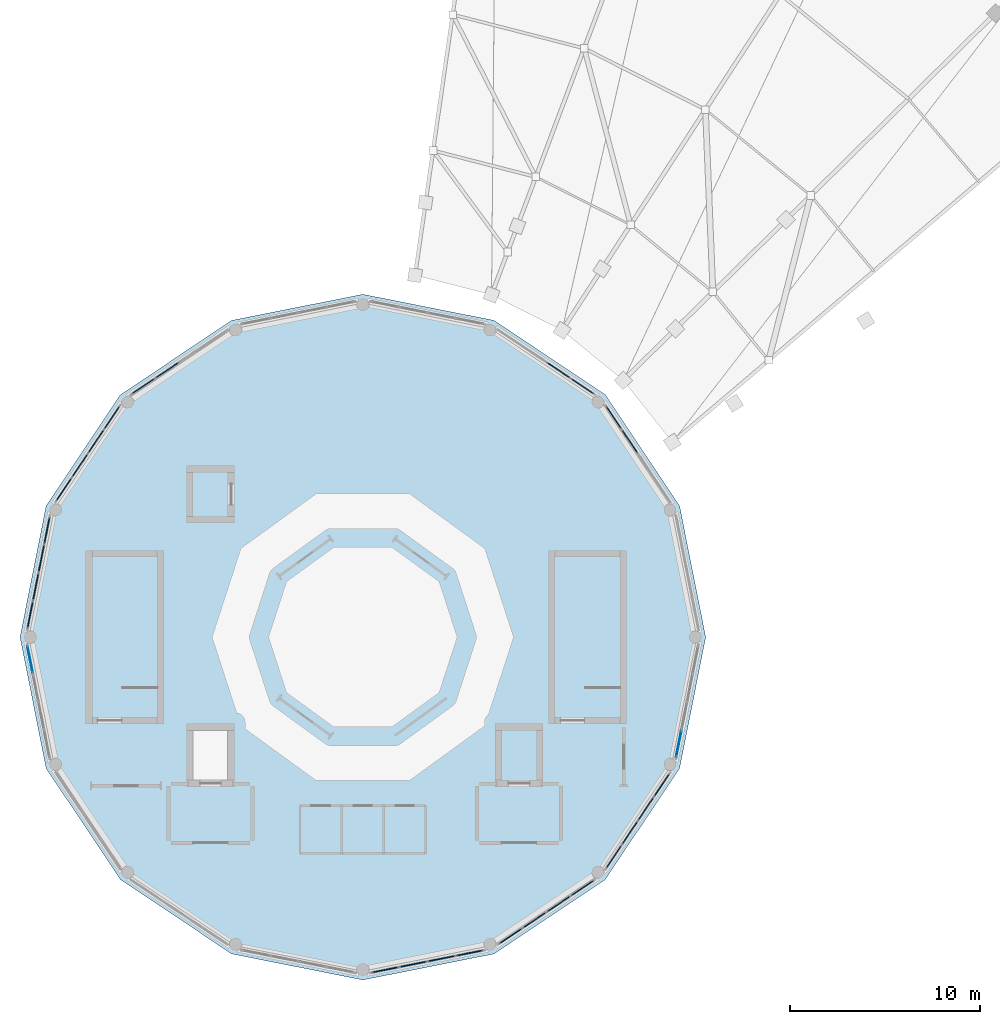
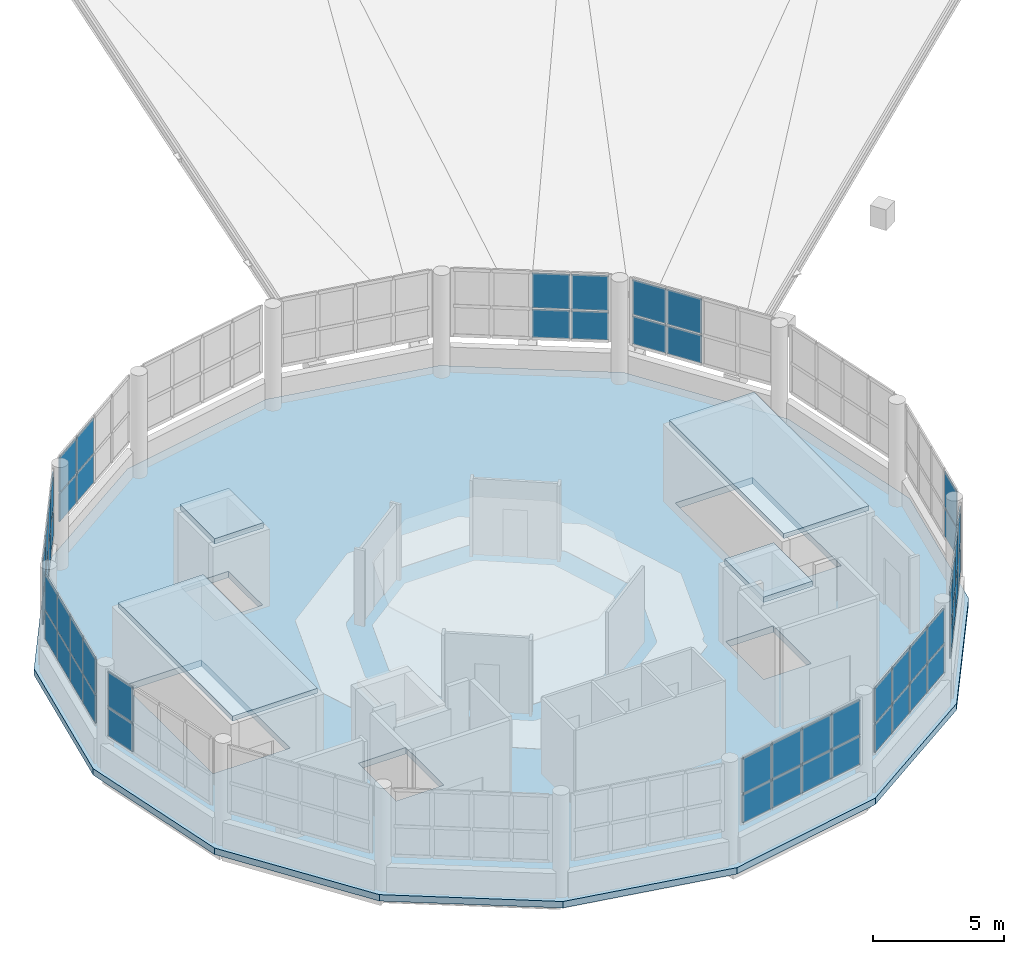
# One storey, part 8 of 12: 56 plates, 5 slabs, 10 elements without a shape of their own.
"""IFC4 building model written with IfcOpenShell, lengths in metres."""

from ifc_helpers import new_model, si_unit, direction, frame, origin, origin_2d, place, context, subcontext, project, spatial, polyline, rectangle, outline, extrude, material, layer, layer_set, type_object, element, aggregate, save


model = new_model("IFC4")

# Units and contexts
model_context = context("Model", 3, precision=1e-05, world=origin(), true_north=direction((0.0, 1.0)))
body_context = subcontext(model_context, "Body", "Model", "MODEL_VIEW")
ifc_project = project(units=[si_unit("LENGTHUNIT", "METRE"), si_unit("AREAUNIT", "SQUARE_METRE"), si_unit("VOLUMEUNIT", "CUBIC_METRE"), si_unit("PLANEANGLEUNIT", "RADIAN"), si_unit("MASSUNIT", "GRAM", prefix="KILO")], contexts=[model_context])

# Site, building, storey
site_placement = place(None, origin())
site = spatial("IfcSite", under=ifc_project, at=site_placement, CompositionType="ELEMENT")
building_placement = place(site_placement, origin())
building = spatial("IfcBuilding", under=site, at=building_placement, Name="Soyqirgoq Riverine Aquarium", CompositionType="ELEMENT")
storey_placement = place(building_placement, frame((0.0, 0.0, 24.60009765625)))
storey = spatial("IfcBuildingStorey", under=building, at=storey_placement, Name="L06", CompositionType="ELEMENT", Elevation=24.60009765625)

# Curtain wall, plates
ifc_material_1 = material(Name="Anodised aluminium acoustic solar-control clerestory glazing", Category="aluminium")
curtain_wall_type = type_object("IfcCurtainWallType", Name="CW_Clerestory_Ring", PredefinedType="NOTDEFINED", material=ifc_material_1)
curtain_wall_1_placement = place(storey_placement, origin())
curtain_wall_1 = element("IfcCurtainWall", 1, at=curtain_wall_1_placement, inside=storey, type_object=curtain_wall_type, Name="V1 L06 Curtain Wall 008", PredefinedType="NOTDEFINED")
ifc_material_2 = material(Name="Triple insulated laminated low-E glass", Category="glass")
ifc_layer_1 = layer(ifc_material_2, 0.0458984375)
ifc_layer_set_1 = layer_set([ifc_layer_1], Name="Triple insulated laminated low-E glass")
plate_type_1 = type_object("IfcPlateType", Name="CWGlazedPanel_46", PredefinedType="CURTAIN_PANEL", material=ifc_layer_set_1)
plate_1_placement = place(storey_placement, frame((70.012939453125, 67.275146484375, 1.69482421875), z_axis=(0.0, 0.0, 1.0), x_axis=(-0.555578639957, 0.831463994905, 0.0)))
plate_1 = element("IfcPlate", 2, at=plate_1_placement, type_object=plate_type_1, Name="CW-02 panel 3.1", PredefinedType="CURTAIN_PANEL", context=body_context, shape_type="SweptSolid", body=[
    extrude(rectangle(XDim=1.45166015625, YDim=0.0458984375, at=origin_2d()), origin(), (0.0, 0.0, 1.0), 1.300537109375),
])
plate_2_placement = place(storey_placement, frame((70.012939453125, 67.275146484375, 3.0703125), z_axis=(0.0, 0.0, 1.0), x_axis=(-0.555578639957, 0.831463994905, 0.0)))
plate_2 = element("IfcPlate", 3, at=plate_2_placement, type_object=plate_type_1, Name="CW-02 panel 3.2", PredefinedType="CURTAIN_PANEL", context=body_context, shape_type="SweptSolid", body=[
    extrude(rectangle(XDim=1.45166015625, YDim=0.0458984375, at=origin_2d()), origin(), (0.0, 0.0, 1.0), 1.614501953125),
])
plate_3_placement = place(storey_placement, frame((69.179443359375, 68.522705078125, 1.69482421875), z_axis=(0.0, 0.0, 1.0), x_axis=(-0.555578639957, 0.831463994905, 0.0)))
plate_3 = element("IfcPlate", 4, at=plate_3_placement, type_object=plate_type_1, Name="CW-02 panel 4.1", PredefinedType="CURTAIN_PANEL", context=body_context, shape_type="SweptSolid", body=[
    extrude(rectangle(XDim=1.419189453125, YDim=0.0458984375, at=origin_2d()), origin(), (0.0, 0.0, 1.0), 1.300537109375),
])
plate_4_placement = place(storey_placement, frame((69.179443359375, 68.522705078125, 3.0703125), z_axis=(0.0, 0.0, 1.0), x_axis=(-0.555578639957, 0.831463994905, 0.0)))
plate_4 = element("IfcPlate", 5, at=plate_4_placement, type_object=plate_type_1, Name="CW-02 panel 4.2", PredefinedType="CURTAIN_PANEL", context=body_context, shape_type="SweptSolid", body=[
    extrude(rectangle(XDim=1.419189453125, YDim=0.0458984375, at=origin_2d()), origin(), (0.0, 0.0, 1.0), 1.614501953125),
])
aggregate(curtain_wall_1, [plate_1, plate_2, plate_3, plate_4])

curtain_wall_2_placement = place(storey_placement, origin())
curtain_wall_2 = element("IfcCurtainWall", 6, at=curtain_wall_2_placement, inside=storey, type_object=curtain_wall_type, Name="V1 L06 Curtain Wall 010", PredefinedType="NOTDEFINED")
plate_5_placement = place(storey_placement, frame((67.522705078125, 70.179443359375, 1.69482421875), z_axis=(0.0, 0.0, 1.0), x_axis=(-0.831463994905, 0.555578639957, 0.0)))
plate_5 = element("IfcPlate", 7, at=plate_5_placement, type_object=plate_type_1, Name="CW-02 panel 1.1", PredefinedType="CURTAIN_PANEL", context=body_context, shape_type="SweptSolid", body=[
    extrude(rectangle(XDim=1.419189453125, YDim=0.0458984375, at=origin_2d()), origin(), (0.0, 0.0, 1.0), 1.300537109375),
])
plate_6_placement = place(storey_placement, frame((67.522705078125, 70.179443359375, 3.0703125), z_axis=(0.0, 0.0, 1.0), x_axis=(-0.831463994905, 0.555578639957, 0.0)))
plate_6 = element("IfcPlate", 8, at=plate_6_placement, type_object=plate_type_1, Name="CW-02 panel 1.2", PredefinedType="CURTAIN_PANEL", context=body_context, shape_type="SweptSolid", body=[
    extrude(rectangle(XDim=1.419189453125, YDim=0.0458984375, at=origin_2d()), origin(), (0.0, 0.0, 1.0), 1.614501953125),
])
plate_7_placement = place(storey_placement, frame((66.275146484375, 71.012939453125, 1.69482421875), z_axis=(0.0, 0.0, 1.0), x_axis=(-0.831463994905, 0.555578639957, 0.0)))
plate_7 = element("IfcPlate", 9, at=plate_7_placement, type_object=plate_type_1, Name="CW-02 panel 2.1", PredefinedType="CURTAIN_PANEL", context=body_context, shape_type="SweptSolid", body=[
    extrude(rectangle(XDim=1.45166015625, YDim=0.0458984375, at=origin_2d()), origin(), (0.0, 0.0, 1.0), 1.300537109375),
])
plate_8_placement = place(storey_placement, frame((66.275146484375, 71.012939453125, 3.0703125), z_axis=(0.0, 0.0, 1.0), x_axis=(-0.831463994905, 0.555578639957, 0.0)))
plate_8 = element("IfcPlate", 10, at=plate_8_placement, type_object=plate_type_1, Name="CW-02 panel 2.2", PredefinedType="CURTAIN_PANEL", context=body_context, shape_type="SweptSolid", body=[
    extrude(rectangle(XDim=1.45166015625, YDim=0.0458984375, at=origin_2d()), origin(), (0.0, 0.0, 1.0), 1.614501953125),
])
aggregate(curtain_wall_2, [plate_5, plate_6, plate_7, plate_8])

curtain_wall_3_placement = place(storey_placement, origin())
curtain_wall_3 = element("IfcCurtainWall", 11, at=curtain_wall_3_placement, inside=storey, type_object=curtain_wall_type, Name="V1 L06 Curtain Wall 021", PredefinedType="NOTDEFINED")
plate_9_placement = place(storey_placement, frame((45.724853515625, 71.012939453125, 1.69482421875), z_axis=(0.0, 0.0, 1.0), x_axis=(-0.831463994905, -0.555578639957, 0.0)))
plate_9 = element("IfcPlate", 12, at=plate_9_placement, type_object=plate_type_1, Name="CW-02 panel 3.1", PredefinedType="CURTAIN_PANEL", context=body_context, shape_type="SweptSolid", body=[
    extrude(rectangle(XDim=1.45166015625, YDim=0.0458984375, at=origin_2d()), origin(), (0.0, 0.0, 1.0), 1.300537109375),
])
plate_10_placement = place(storey_placement, frame((45.724853515625, 71.012939453125, 3.0703125), z_axis=(0.0, 0.0, 1.0), x_axis=(-0.831463994905, -0.555578639957, 0.0)))
plate_10 = element("IfcPlate", 13, at=plate_10_placement, type_object=plate_type_1, Name="CW-02 panel 3.2", PredefinedType="CURTAIN_PANEL", context=body_context, shape_type="SweptSolid", body=[
    extrude(rectangle(XDim=1.45166015625, YDim=0.0458984375, at=origin_2d()), origin(), (0.0, 0.0, 1.0), 1.614501953125),
])
plate_11_placement = place(storey_placement, frame((44.477294921875, 70.179443359375, 1.69482421875), z_axis=(0.0, 0.0, 1.0), x_axis=(-0.831463994905, -0.555578639957, 0.0)))
plate_11 = element("IfcPlate", 14, at=plate_11_placement, type_object=plate_type_1, Name="CW-02 panel 4.1", PredefinedType="CURTAIN_PANEL", context=body_context, shape_type="SweptSolid", body=[
    extrude(rectangle(XDim=1.419189453125, YDim=0.0458984375, at=origin_2d()), origin(), (0.0, 0.0, 1.0), 1.300537109375),
])
plate_12_placement = place(storey_placement, frame((44.477294921875, 70.179443359375, 3.0703125), z_axis=(0.0, 0.0, 1.0), x_axis=(-0.831463994905, -0.555578639957, 0.0)))
plate_12 = element("IfcPlate", 15, at=plate_12_placement, type_object=plate_type_1, Name="CW-02 panel 4.2", PredefinedType="CURTAIN_PANEL", context=body_context, shape_type="SweptSolid", body=[
    extrude(rectangle(XDim=1.419189453125, YDim=0.0458984375, at=origin_2d()), origin(), (0.0, 0.0, 1.0), 1.614501953125),
])
aggregate(curtain_wall_3, [plate_9, plate_10, plate_11, plate_12])

curtain_wall_4_placement = place(storey_placement, origin())
curtain_wall_4 = element("IfcCurtainWall", 16, at=curtain_wall_4_placement, inside=storey, type_object=curtain_wall_type, Name="V1 L06 Curtain Wall 028", PredefinedType="NOTDEFINED")
plate_13_placement = place(storey_placement, frame((42.820556640625, 68.522705078125, 1.69482421875), z_axis=(0.0, 0.0, 1.0), x_axis=(-0.555578639957, -0.831463994905, 0.0)))
plate_13 = element("IfcPlate", 17, at=plate_13_placement, type_object=plate_type_1, Name="CW-02 panel 1.1", PredefinedType="CURTAIN_PANEL", context=body_context, shape_type="SweptSolid", body=[
    extrude(rectangle(XDim=1.419189453125, YDim=0.0458984375, at=origin_2d()), origin(), (0.0, 0.0, 1.0), 1.300537109375),
])
plate_14_placement = place(storey_placement, frame((42.820556640625, 68.522705078125, 3.0703125), z_axis=(0.0, 0.0, 1.0), x_axis=(-0.555578639957, -0.831463994905, 0.0)))
plate_14 = element("IfcPlate", 18, at=plate_14_placement, type_object=plate_type_1, Name="CW-02 panel 1.2", PredefinedType="CURTAIN_PANEL", context=body_context, shape_type="SweptSolid", body=[
    extrude(rectangle(XDim=1.419189453125, YDim=0.0458984375, at=origin_2d()), origin(), (0.0, 0.0, 1.0), 1.614501953125),
])
plate_15_placement = place(storey_placement, frame((41.987060546875, 67.275146484375, 1.69482421875), z_axis=(0.0, 0.0, 1.0), x_axis=(-0.555578639957, -0.831463994905, 0.0)))
plate_15 = element("IfcPlate", 19, at=plate_15_placement, type_object=plate_type_1, Name="CW-02 panel 2.1", PredefinedType="CURTAIN_PANEL", context=body_context, shape_type="SweptSolid", body=[
    extrude(rectangle(XDim=1.45166015625, YDim=0.0458984375, at=origin_2d()), origin(), (0.0, 0.0, 1.0), 1.300537109375),
])
plate_16_placement = place(storey_placement, frame((41.987060546875, 67.275146484375, 3.0703125), z_axis=(0.0, 0.0, 1.0), x_axis=(-0.555578639957, -0.831463994905, 0.0)))
plate_16 = element("IfcPlate", 20, at=plate_16_placement, type_object=plate_type_1, Name="CW-02 panel 2.2", PredefinedType="CURTAIN_PANEL", context=body_context, shape_type="SweptSolid", body=[
    extrude(rectangle(XDim=1.45166015625, YDim=0.0458984375, at=origin_2d()), origin(), (0.0, 0.0, 1.0), 1.614501953125),
])
plate_17_placement = place(storey_placement, frame((41.14453125, 66.01416015625, 1.69482421875), z_axis=(0.0, 0.0, 1.0), x_axis=(-0.555578639957, -0.831463994905, 0.0)))
plate_17 = element("IfcPlate", 21, at=plate_17_placement, type_object=plate_type_1, Name="CW-02 panel 3.1", PredefinedType="CURTAIN_PANEL", context=body_context, shape_type="SweptSolid", body=[
    extrude(rectangle(XDim=1.45166015625, YDim=0.0458984375, at=origin_2d()), origin(), (0.0, 0.0, 1.0), 1.300537109375),
])
plate_18_placement = place(storey_placement, frame((41.14453125, 66.01416015625, 3.0703125), z_axis=(0.0, 0.0, 1.0), x_axis=(-0.555578639957, -0.831463994905, 0.0)))
plate_18 = element("IfcPlate", 22, at=plate_18_placement, type_object=plate_type_1, Name="CW-02 panel 3.2", PredefinedType="CURTAIN_PANEL", context=body_context, shape_type="SweptSolid", body=[
    extrude(rectangle(XDim=1.45166015625, YDim=0.0458984375, at=origin_2d()), origin(), (0.0, 0.0, 1.0), 1.614501953125),
])
plate_19_placement = place(storey_placement, frame((40.31103515625, 64.7666015625, 1.69482421875), z_axis=(0.0, 0.0, 1.0), x_axis=(-0.555578639957, -0.831463994905, 0.0)))
plate_19 = element("IfcPlate", 23, at=plate_19_placement, type_object=plate_type_1, Name="CW-02 panel 4.1", PredefinedType="CURTAIN_PANEL", context=body_context, shape_type="SweptSolid", body=[
    extrude(rectangle(XDim=1.419189453125, YDim=0.0458984375, at=origin_2d()), origin(), (0.0, 0.0, 1.0), 1.300537109375),
])
plate_20_placement = place(storey_placement, frame((40.31103515625, 64.7666015625, 3.0703125), z_axis=(0.0, 0.0, 1.0), x_axis=(-0.555578639957, -0.831463994905, 0.0)))
plate_20 = element("IfcPlate", 24, at=plate_20_placement, type_object=plate_type_1, Name="CW-02 panel 4.2", PredefinedType="CURTAIN_PANEL", context=body_context, shape_type="SweptSolid", body=[
    extrude(rectangle(XDim=1.419189453125, YDim=0.0458984375, at=origin_2d()), origin(), (0.0, 0.0, 1.0), 1.614501953125),
])
aggregate(curtain_wall_4, [plate_13, plate_14, plate_15, plate_16, plate_17, plate_18, plate_19, plate_20])

curtain_wall_5_placement = place(storey_placement, origin())
curtain_wall_5 = element("IfcCurtainWall", 25, at=curtain_wall_5_placement, inside=storey, type_object=curtain_wall_type, Name="V1 L06 Curtain Wall 032", PredefinedType="NOTDEFINED")
plate_21_placement = place(storey_placement, frame((38.532958984375, 55.828369140625, 1.69482421875), z_axis=(0.0, 0.0, 1.0), x_axis=(0.19509525167, -0.980784299821, 0.0)))
plate_21 = element("IfcPlate", 26, at=plate_21_placement, type_object=plate_type_1, Name="CW-02 panel 1.1", PredefinedType="CURTAIN_PANEL", context=body_context, shape_type="SweptSolid", body=[
    extrude(rectangle(XDim=1.4189453125, YDim=0.0458984375, at=origin_2d()), origin(), (0.0, 0.0, 1.0), 1.300537109375),
])
plate_22_placement = place(storey_placement, frame((38.532958984375, 55.828369140625, 3.0703125), z_axis=(0.0, 0.0, 1.0), x_axis=(0.19509525167, -0.980784299821, 0.0)))
plate_22 = element("IfcPlate", 27, at=plate_22_placement, type_object=plate_type_1, Name="CW-02 panel 1.2", PredefinedType="CURTAIN_PANEL", context=body_context, shape_type="SweptSolid", body=[
    extrude(rectangle(XDim=1.4189453125, YDim=0.0458984375, at=origin_2d()), origin(), (0.0, 0.0, 1.0), 1.614501953125),
])
aggregate(curtain_wall_5, [plate_21, plate_22])

curtain_wall_6_placement = place(storey_placement, origin())
curtain_wall_6 = element("IfcCurtainWall", 28, at=curtain_wall_6_placement, inside=storey, type_object=curtain_wall_type, Name="V1 L06 Curtain Wall 065", PredefinedType="NOTDEFINED")
plate_23_placement = place(storey_placement, frame((63.7666015625, 41.31103515625, 1.69482421875), z_axis=(0.0, 0.0, 1.0), x_axis=(0.831463994905, 0.555578639957, 0.0)))
plate_23 = element("IfcPlate", 29, at=plate_23_placement, type_object=plate_type_1, Name="CW-02 panel 1.1", PredefinedType="CURTAIN_PANEL", context=body_context, shape_type="SweptSolid", body=[
    extrude(rectangle(XDim=1.419189453125, YDim=0.0458984375, at=origin_2d()), origin(), (0.0, 0.0, 1.0), 1.300537109375),
])
plate_24_placement = place(storey_placement, frame((63.7666015625, 41.31103515625, 3.0703125), z_axis=(0.0, 0.0, 1.0), x_axis=(0.831463994905, 0.555578639957, 0.0)))
plate_24 = element("IfcPlate", 30, at=plate_24_placement, type_object=plate_type_1, Name="CW-02 panel 1.2", PredefinedType="CURTAIN_PANEL", context=body_context, shape_type="SweptSolid", body=[
    extrude(rectangle(XDim=1.419189453125, YDim=0.0458984375, at=origin_2d()), origin(), (0.0, 0.0, 1.0), 1.614501953125),
])
plate_25_placement = place(storey_placement, frame((65.01416015625, 42.14453125, 1.69482421875), z_axis=(0.0, 0.0, 1.0), x_axis=(0.831463994905, 0.555578639957, 0.0)))
plate_25 = element("IfcPlate", 31, at=plate_25_placement, type_object=plate_type_1, Name="CW-02 panel 2.1", PredefinedType="CURTAIN_PANEL", context=body_context, shape_type="SweptSolid", body=[
    extrude(rectangle(XDim=1.45166015625, YDim=0.0458984375, at=origin_2d()), origin(), (0.0, 0.0, 1.0), 1.300537109375),
])
plate_26_placement = place(storey_placement, frame((65.01416015625, 42.14453125, 3.0703125), z_axis=(0.0, 0.0, 1.0), x_axis=(0.831463994905, 0.555578639957, 0.0)))
plate_26 = element("IfcPlate", 32, at=plate_26_placement, type_object=plate_type_1, Name="CW-02 panel 2.2", PredefinedType="CURTAIN_PANEL", context=body_context, shape_type="SweptSolid", body=[
    extrude(rectangle(XDim=1.45166015625, YDim=0.0458984375, at=origin_2d()), origin(), (0.0, 0.0, 1.0), 1.614501953125),
])
plate_27_placement = place(storey_placement, frame((66.275146484375, 42.987060546875, 1.69482421875), z_axis=(0.0, 0.0, 1.0), x_axis=(0.831463994905, 0.555578639957, 0.0)))
plate_27 = element("IfcPlate", 33, at=plate_27_placement, type_object=plate_type_1, Name="CW-02 panel 3.1", PredefinedType="CURTAIN_PANEL", context=body_context, shape_type="SweptSolid", body=[
    extrude(rectangle(XDim=1.45166015625, YDim=0.0458984375, at=origin_2d()), origin(), (0.0, 0.0, 1.0), 1.300537109375),
])
plate_28_placement = place(storey_placement, frame((66.275146484375, 42.987060546875, 3.0703125), z_axis=(0.0, 0.0, 1.0), x_axis=(0.831463994905, 0.555578639957, 0.0)))
plate_28 = element("IfcPlate", 34, at=plate_28_placement, type_object=plate_type_1, Name="CW-02 panel 3.2", PredefinedType="CURTAIN_PANEL", context=body_context, shape_type="SweptSolid", body=[
    extrude(rectangle(XDim=1.45166015625, YDim=0.0458984375, at=origin_2d()), origin(), (0.0, 0.0, 1.0), 1.614501953125),
])
plate_29_placement = place(storey_placement, frame((67.522705078125, 43.820556640625, 1.69482421875), z_axis=(0.0, 0.0, 1.0), x_axis=(0.831463994905, 0.555578639957, 0.0)))
plate_29 = element("IfcPlate", 35, at=plate_29_placement, type_object=plate_type_1, Name="CW-02 panel 4.1", PredefinedType="CURTAIN_PANEL", context=body_context, shape_type="SweptSolid", body=[
    extrude(rectangle(XDim=1.419189453125, YDim=0.0458984375, at=origin_2d()), origin(), (0.0, 0.0, 1.0), 1.300537109375),
])
plate_30_placement = place(storey_placement, frame((67.522705078125, 43.820556640625, 3.0703125), z_axis=(0.0, 0.0, 1.0), x_axis=(0.831463994905, 0.555578639957, 0.0)))
plate_30 = element("IfcPlate", 36, at=plate_30_placement, type_object=plate_type_1, Name="CW-02 panel 4.2", PredefinedType="CURTAIN_PANEL", context=body_context, shape_type="SweptSolid", body=[
    extrude(rectangle(XDim=1.419189453125, YDim=0.0458984375, at=origin_2d()), origin(), (0.0, 0.0, 1.0), 1.614501953125),
])
aggregate(curtain_wall_6, [plate_23, plate_24, plate_25, plate_26, plate_27, plate_28, plate_29, plate_30])

curtain_wall_7_placement = place(storey_placement, origin())
curtain_wall_7 = element("IfcCurtainWall", 37, at=curtain_wall_7_placement, inside=storey, type_object=curtain_wall_type, Name="V1 L06 Curtain Wall 070", PredefinedType="NOTDEFINED")
plate_31_placement = place(storey_placement, frame((69.179443359375, 45.477294921875, 1.69482421875), z_axis=(0.0, 0.0, 1.0), x_axis=(0.555578639957, 0.831463994905, 0.0)))
plate_31 = element("IfcPlate", 38, at=plate_31_placement, type_object=plate_type_1, Name="CW-02 panel 1.1", PredefinedType="CURTAIN_PANEL", context=body_context, shape_type="SweptSolid", body=[
    extrude(rectangle(XDim=1.419189453125, YDim=0.0458984375, at=origin_2d()), origin(), (0.0, 0.0, 1.0), 1.300537109375),
])
plate_32_placement = place(storey_placement, frame((69.179443359375, 45.477294921875, 3.0703125), z_axis=(0.0, 0.0, 1.0), x_axis=(0.555578639957, 0.831463994905, 0.0)))
plate_32 = element("IfcPlate", 39, at=plate_32_placement, type_object=plate_type_1, Name="CW-02 panel 1.2", PredefinedType="CURTAIN_PANEL", context=body_context, shape_type="SweptSolid", body=[
    extrude(rectangle(XDim=1.419189453125, YDim=0.0458984375, at=origin_2d()), origin(), (0.0, 0.0, 1.0), 1.614501953125),
])
plate_33_placement = place(storey_placement, frame((70.012939453125, 46.724853515625, 1.69482421875), z_axis=(0.0, 0.0, 1.0), x_axis=(0.555578639957, 0.831463994905, 0.0)))
plate_33 = element("IfcPlate", 40, at=plate_33_placement, type_object=plate_type_1, Name="CW-02 panel 2.1", PredefinedType="CURTAIN_PANEL", context=body_context, shape_type="SweptSolid", body=[
    extrude(rectangle(XDim=1.45166015625, YDim=0.0458984375, at=origin_2d()), origin(), (0.0, 0.0, 1.0), 1.300537109375),
])
plate_34_placement = place(storey_placement, frame((70.012939453125, 46.724853515625, 3.0703125), z_axis=(0.0, 0.0, 1.0), x_axis=(0.555578639957, 0.831463994905, 0.0)))
plate_34 = element("IfcPlate", 41, at=plate_34_placement, type_object=plate_type_1, Name="CW-02 panel 2.2", PredefinedType="CURTAIN_PANEL", context=body_context, shape_type="SweptSolid", body=[
    extrude(rectangle(XDim=1.45166015625, YDim=0.0458984375, at=origin_2d()), origin(), (0.0, 0.0, 1.0), 1.614501953125),
])
plate_35_placement = place(storey_placement, frame((70.85546875, 47.98583984375, 1.69482421875), z_axis=(0.0, 0.0, 1.0), x_axis=(0.555578639957, 0.831463994905, 0.0)))
plate_35 = element("IfcPlate", 42, at=plate_35_placement, type_object=plate_type_1, Name="CW-02 panel 3.1", PredefinedType="CURTAIN_PANEL", context=body_context, shape_type="SweptSolid", body=[
    extrude(rectangle(XDim=1.45166015625, YDim=0.0458984375, at=origin_2d()), origin(), (0.0, 0.0, 1.0), 1.300537109375),
])
plate_36_placement = place(storey_placement, frame((70.85546875, 47.98583984375, 3.0703125), z_axis=(0.0, 0.0, 1.0), x_axis=(0.555578639957, 0.831463994905, 0.0)))
plate_36 = element("IfcPlate", 43, at=plate_36_placement, type_object=plate_type_1, Name="CW-02 panel 3.2", PredefinedType="CURTAIN_PANEL", context=body_context, shape_type="SweptSolid", body=[
    extrude(rectangle(XDim=1.45166015625, YDim=0.0458984375, at=origin_2d()), origin(), (0.0, 0.0, 1.0), 1.614501953125),
])
plate_37_placement = place(storey_placement, frame((71.68896484375, 49.2333984375, 1.69482421875), z_axis=(0.0, 0.0, 1.0), x_axis=(0.555578639957, 0.831463994905, 0.0)))
plate_37 = element("IfcPlate", 44, at=plate_37_placement, type_object=plate_type_1, Name="CW-02 panel 4.1", PredefinedType="CURTAIN_PANEL", context=body_context, shape_type="SweptSolid", body=[
    extrude(rectangle(XDim=1.419189453125, YDim=0.0458984375, at=origin_2d()), origin(), (0.0, 0.0, 1.0), 1.300537109375),
])
plate_38_placement = place(storey_placement, frame((71.68896484375, 49.2333984375, 3.0703125), z_axis=(0.0, 0.0, 1.0), x_axis=(0.555578639957, 0.831463994905, 0.0)))
plate_38 = element("IfcPlate", 45, at=plate_38_placement, type_object=plate_type_1, Name="CW-02 panel 4.2", PredefinedType="CURTAIN_PANEL", context=body_context, shape_type="SweptSolid", body=[
    extrude(rectangle(XDim=1.419189453125, YDim=0.0458984375, at=origin_2d()), origin(), (0.0, 0.0, 1.0), 1.614501953125),
])
aggregate(curtain_wall_7, [plate_31, plate_32, plate_33, plate_34, plate_35, plate_36, plate_37, plate_38])

curtain_wall_8_placement = place(storey_placement, origin())
curtain_wall_8 = element("IfcCurtainWall", 46, at=curtain_wall_8_placement, inside=storey, type_object=curtain_wall_type, Name="V1 L06 Curtain Wall 077", PredefinedType="NOTDEFINED")
plate_39_placement = place(storey_placement, frame((72.585693359375, 51.39794921875, 1.69482421875), z_axis=(0.0, 0.0, 1.0), x_axis=(0.19509525167, 0.980784299821, 0.0)))
plate_39 = element("IfcPlate", 47, at=plate_39_placement, type_object=plate_type_1, Name="CW-02 panel 1.1", PredefinedType="CURTAIN_PANEL", context=body_context, shape_type="SweptSolid", body=[
    extrude(rectangle(XDim=1.4189453125, YDim=0.0458984375, at=origin_2d()), origin(), (0.0, 0.0, 1.0), 1.300537109375),
])
plate_40_placement = place(storey_placement, frame((72.585693359375, 51.39794921875, 3.0703125), z_axis=(0.0, 0.0, 1.0), x_axis=(0.19509525167, 0.980784299821, 0.0)))
plate_40 = element("IfcPlate", 48, at=plate_40_placement, type_object=plate_type_1, Name="CW-02 panel 1.2", PredefinedType="CURTAIN_PANEL", context=body_context, shape_type="SweptSolid", body=[
    extrude(rectangle(XDim=1.4189453125, YDim=0.0458984375, at=origin_2d()), origin(), (0.0, 0.0, 1.0), 1.614501953125),
])
aggregate(curtain_wall_8, [plate_39, plate_40])

curtain_wall_9_placement = place(storey_placement, origin())
curtain_wall_9 = element("IfcCurtainWall", 49, at=curtain_wall_9_placement, inside=storey, type_object=curtain_wall_type, Name="V1 L06 Curtain Wall 030", PredefinedType="NOTDEFINED")
ifc_material_3 = material(Name="Insulated shadow-box aluminium spandrel panel", Category="aluminium")
ifc_layer_2 = layer(ifc_material_3, 0.06005859375)
ifc_layer_set_2 = layer_set([ifc_layer_2], Name="Insulated shadow-box aluminium spandrel panel")
plate_type_2 = type_object("IfcPlateType", Name="CWSpandrelPanel_60", PredefinedType="CURTAIN_PANEL", material=ifc_layer_set_2)
plate_41_placement = place(storey_placement, frame((39.414306640625, 62.60205078125, 1.69482421875), z_axis=(0.0, 0.0, 1.0), x_axis=(-0.19509525167, -0.980784299821, 0.0)))
plate_41 = element("IfcPlate", 50, at=plate_41_placement, type_object=plate_type_2, Name="CW-02 panel 1.1", PredefinedType="CURTAIN_PANEL", context=body_context, shape_type="SweptSolid", body=[
    extrude(rectangle(XDim=1.4189453125, YDim=0.06005859375, at=origin_2d()), origin(), (0.0, 0.0, 1.0), 1.300537109375),
])
plate_42_placement = place(storey_placement, frame((39.414306640625, 62.60205078125, 3.0703125), z_axis=(0.0, 0.0, 1.0), x_axis=(-0.19509525167, -0.980784299821, 0.0)))
plate_42 = element("IfcPlate", 51, at=plate_42_placement, type_object=plate_type_2, Name="CW-02 panel 1.2", PredefinedType="CURTAIN_PANEL", context=body_context, shape_type="SweptSolid", body=[
    extrude(rectangle(XDim=1.4189453125, YDim=0.06005859375, at=origin_2d()), origin(), (0.0, 0.0, 1.0), 1.614501953125),
])
plate_43_placement = place(storey_placement, frame((39.12158203125, 61.13037109375, 1.69482421875), z_axis=(0.0, 0.0, 1.0), x_axis=(-0.19509525167, -0.980784299821, 0.0)))
plate_43 = element("IfcPlate", 52, at=plate_43_placement, type_object=plate_type_2, Name="CW-02 panel 2.1", PredefinedType="CURTAIN_PANEL", context=body_context, shape_type="SweptSolid", body=[
    extrude(rectangle(XDim=1.45166015625, YDim=0.06005859375, at=origin_2d()), origin(), (0.0, 0.0, 1.0), 1.300537109375),
])
plate_44_placement = place(storey_placement, frame((39.12158203125, 61.13037109375, 3.0703125), z_axis=(0.0, 0.0, 1.0), x_axis=(-0.19509525167, -0.980784299821, 0.0)))
plate_44 = element("IfcPlate", 53, at=plate_44_placement, type_object=plate_type_2, Name="CW-02 panel 2.2", PredefinedType="CURTAIN_PANEL", context=body_context, shape_type="SweptSolid", body=[
    extrude(rectangle(XDim=1.45166015625, YDim=0.06005859375, at=origin_2d()), origin(), (0.0, 0.0, 1.0), 1.614501953125),
])
plate_45_placement = place(storey_placement, frame((38.82568359375, 59.64306640625, 1.69482421875), z_axis=(0.0, 0.0, 1.0), x_axis=(-0.19509525167, -0.980784299821, 0.0)))
plate_45 = element("IfcPlate", 54, at=plate_45_placement, type_object=plate_type_2, Name="CW-02 panel 3.1", PredefinedType="CURTAIN_PANEL", context=body_context, shape_type="SweptSolid", body=[
    extrude(rectangle(XDim=1.45166015625, YDim=0.06005859375, at=origin_2d()), origin(), (0.0, 0.0, 1.0), 1.300537109375),
])
plate_46_placement = place(storey_placement, frame((38.82568359375, 59.64306640625, 3.0703125), z_axis=(0.0, 0.0, 1.0), x_axis=(-0.19509525167, -0.980784299821, 0.0)))
plate_46 = element("IfcPlate", 55, at=plate_46_placement, type_object=plate_type_2, Name="CW-02 panel 3.2", PredefinedType="CURTAIN_PANEL", context=body_context, shape_type="SweptSolid", body=[
    extrude(rectangle(XDim=1.45166015625, YDim=0.06005859375, at=origin_2d()), origin(), (0.0, 0.0, 1.0), 1.614501953125),
])
plate_47_placement = place(storey_placement, frame((38.532958984375, 58.171630859375, 1.69482421875), z_axis=(0.0, 0.0, 1.0), x_axis=(-0.19509525167, -0.980784299821, 0.0)))
plate_47 = element("IfcPlate", 56, at=plate_47_placement, type_object=plate_type_2, Name="CW-02 panel 4.1", PredefinedType="CURTAIN_PANEL", context=body_context, shape_type="SweptSolid", body=[
    extrude(rectangle(XDim=1.4189453125, YDim=0.06005859375, at=origin_2d()), origin(), (0.0, 0.0, 1.0), 1.300537109375),
])
plate_48_placement = place(storey_placement, frame((38.532958984375, 58.171630859375, 3.0703125), z_axis=(0.0, 0.0, 1.0), x_axis=(-0.19509525167, -0.980784299821, 0.0)))
plate_48 = element("IfcPlate", 57, at=plate_48_placement, type_object=plate_type_2, Name="CW-02 panel 4.2", PredefinedType="CURTAIN_PANEL", context=body_context, shape_type="SweptSolid", body=[
    extrude(rectangle(XDim=1.4189453125, YDim=0.06005859375, at=origin_2d()), origin(), (0.0, 0.0, 1.0), 1.614501953125),
])
aggregate(curtain_wall_9, [plate_41, plate_42, plate_43, plate_44, plate_45, plate_46, plate_47, plate_48])

curtain_wall_10_placement = place(storey_placement, origin())
curtain_wall_10 = element("IfcCurtainWall", 58, at=curtain_wall_10_placement, inside=storey, type_object=curtain_wall_type, Name="V1 L06 Curtain Wall 060", PredefinedType="NOTDEFINED")
plate_49_placement = place(storey_placement, frame((57.171630859375, 39.532958984375, 1.69482421875), z_axis=(0.0, 0.0, 1.0), x_axis=(0.980784299821, 0.19509525167, 0.0)))
plate_49 = element("IfcPlate", 59, at=plate_49_placement, type_object=plate_type_2, Name="CW-02 panel 1.1", PredefinedType="CURTAIN_PANEL", context=body_context, shape_type="SweptSolid", body=[
    extrude(rectangle(XDim=1.4189453125, YDim=0.06005859375, at=origin_2d()), origin(), (0.0, 0.0, 1.0), 1.300537109375),
])
plate_50_placement = place(storey_placement, frame((57.171630859375, 39.532958984375, 3.0703125), z_axis=(0.0, 0.0, 1.0), x_axis=(0.980784299821, 0.19509525167, 0.0)))
plate_50 = element("IfcPlate", 60, at=plate_50_placement, type_object=plate_type_2, Name="CW-02 panel 1.2", PredefinedType="CURTAIN_PANEL", context=body_context, shape_type="SweptSolid", body=[
    extrude(rectangle(XDim=1.4189453125, YDim=0.06005859375, at=origin_2d()), origin(), (0.0, 0.0, 1.0), 1.614501953125),
])
plate_51_placement = place(storey_placement, frame((58.64306640625, 39.82568359375, 1.69482421875), z_axis=(0.0, 0.0, 1.0), x_axis=(0.980784299821, 0.19509525167, 0.0)))
plate_51 = element("IfcPlate", 61, at=plate_51_placement, type_object=plate_type_2, Name="CW-02 panel 2.1", PredefinedType="CURTAIN_PANEL", context=body_context, shape_type="SweptSolid", body=[
    extrude(rectangle(XDim=1.45166015625, YDim=0.06005859375, at=origin_2d()), origin(), (0.0, 0.0, 1.0), 1.300537109375),
])
plate_52_placement = place(storey_placement, frame((58.64306640625, 39.82568359375, 3.0703125), z_axis=(0.0, 0.0, 1.0), x_axis=(0.980784299821, 0.19509525167, 0.0)))
plate_52 = element("IfcPlate", 62, at=plate_52_placement, type_object=plate_type_2, Name="CW-02 panel 2.2", PredefinedType="CURTAIN_PANEL", context=body_context, shape_type="SweptSolid", body=[
    extrude(rectangle(XDim=1.45166015625, YDim=0.06005859375, at=origin_2d()), origin(), (0.0, 0.0, 1.0), 1.614501953125),
])
plate_53_placement = place(storey_placement, frame((60.13037109375, 40.12158203125, 1.69482421875), z_axis=(0.0, 0.0, 1.0), x_axis=(0.980784299821, 0.19509525167, 0.0)))
plate_53 = element("IfcPlate", 63, at=plate_53_placement, type_object=plate_type_2, Name="CW-02 panel 3.1", PredefinedType="CURTAIN_PANEL", context=body_context, shape_type="SweptSolid", body=[
    extrude(rectangle(XDim=1.45166015625, YDim=0.06005859375, at=origin_2d()), origin(), (0.0, 0.0, 1.0), 1.300537109375),
])
plate_54_placement = place(storey_placement, frame((60.13037109375, 40.12158203125, 3.0703125), z_axis=(0.0, 0.0, 1.0), x_axis=(0.980784299821, 0.19509525167, 0.0)))
plate_54 = element("IfcPlate", 64, at=plate_54_placement, type_object=plate_type_2, Name="CW-02 panel 3.2", PredefinedType="CURTAIN_PANEL", context=body_context, shape_type="SweptSolid", body=[
    extrude(rectangle(XDim=1.45166015625, YDim=0.06005859375, at=origin_2d()), origin(), (0.0, 0.0, 1.0), 1.614501953125),
])
plate_55_placement = place(storey_placement, frame((61.60205078125, 40.414306640625, 1.69482421875), z_axis=(0.0, 0.0, 1.0), x_axis=(0.980784299821, 0.19509525167, 0.0)))
plate_55 = element("IfcPlate", 65, at=plate_55_placement, type_object=plate_type_2, Name="CW-02 panel 4.1", PredefinedType="CURTAIN_PANEL", context=body_context, shape_type="SweptSolid", body=[
    extrude(rectangle(XDim=1.4189453125, YDim=0.06005859375, at=origin_2d()), origin(), (0.0, 0.0, 1.0), 1.300537109375),
])
plate_56_placement = place(storey_placement, frame((61.60205078125, 40.414306640625, 3.0703125), z_axis=(0.0, 0.0, 1.0), x_axis=(0.980784299821, 0.19509525167, 0.0)))
plate_56 = element("IfcPlate", 66, at=plate_56_placement, type_object=plate_type_2, Name="CW-02 panel 4.2", PredefinedType="CURTAIN_PANEL", context=body_context, shape_type="SweptSolid", body=[
    extrude(rectangle(XDim=1.4189453125, YDim=0.06005859375, at=origin_2d()), origin(), (0.0, 0.0, 1.0), 1.614501953125),
])
aggregate(curtain_wall_10, [plate_49, plate_50, plate_51, plate_52, plate_53, plate_54, plate_55, plate_56])

# Slabs
ifc_material_4 = material(Name="Concrete C35/45", Category="concrete")
ifc_layer_3 = layer(ifc_material_4, 0.25)
ifc_layer_set_3 = layer_set([ifc_layer_3], Name="Concrete C35/45")
slab_type_1 = type_object("IfcSlabType", Name="FloorSlab_250_C35", PredefinedType="FLOOR", material=ifc_layer_set_3)
slab_1_placement = place(storey_placement, frame((0.0, 0.0, 3.599853515625)))
element("IfcSlab", 67, at=slab_1_placement, inside=storey, type_object=slab_type_1, Name="Lift FFL-1 Shaft Overrun Cap Slab", PredefinedType="FLOOR", context=body_context, shape_type="SweptSolid", body=[
    extrude(outline(polyline([(63.1201171875, 49.320068359375), (65.280029296875, 49.320068359375), (65.280029296875, 52.280029296875), (63.1201171875, 52.280029296875), (63.1201171875, 49.320068359375)])), origin(), (0.0, 0.0, 1.0), 0.25),
])
slab_2_placement = place(storey_placement, frame((0.0, 0.0, 3.599853515625)))
element("IfcSlab", 68, at=slab_2_placement, inside=storey, type_object=slab_type_1, Name="Lift PL-1 Shaft Overrun Cap Slab", PredefinedType="FLOOR", context=body_context, shape_type="SweptSolid", body=[
    extrude(outline(polyline([(46.919921875, 63.169921875), (49.080078125, 63.169921875), (49.080078125, 65.830078125), (46.919921875, 65.830078125), (46.919921875, 63.169921875)])), origin(), (0.0, 0.0, 1.0), 0.25),
])
ifc_material_5 = material(Name="Concrete C35/45", Category="concrete")
ifc_layer_4 = layer(ifc_material_5, 0.300048828125)
ifc_layer_set_4 = layer_set([ifc_layer_4], Name="Concrete C35/45")
slab_type_2 = type_object("IfcSlabType", Name="FloorSlab_300_C35", PredefinedType="FLOOR", material=ifc_layer_set_4)
slab_3_placement = place(storey_placement, frame((0.0, 0.0, -0.300048828125)))
element("IfcSlab", 69, at=slab_3_placement, inside=storey, type_object=slab_type_2, Name="V1 L06 Suspended Floor Slab", PredefinedType="FLOOR", context=body_context, shape_type="SweptSolid", body=[
    extrude(outline(polyline([(74.0, 57.0), (72.6298828125, 63.88818359375), (68.727783203125, 69.727783203125), (62.88818359375, 73.6298828125), (56.0, 75.0), (49.11181640625, 73.6298828125), (43.272216796875, 69.727783203125), (39.3701171875, 63.88818359375), (38.0, 57.0), (39.3701171875, 50.11181640625), (43.272216796875, 44.272216796875), (49.11181640625, 40.3701171875), (56.0, 39.0), (62.88818359375, 40.3701171875), (68.727783203125, 44.272216796875), (72.6298828125, 50.11181640625), (74.0, 57.0)]), holes=[polyline([(69.5, 54.425048828125), (69.5, 61.199951171875), (66.10009765625, 61.199951171875), (66.10009765625, 54.425048828125), (69.5, 54.425048828125)]), polyline([(63.14990234375, 49.35009765625), (65.25, 49.35009765625), (65.25, 52.25), (63.14990234375, 52.25), (63.14990234375, 49.35009765625)]), polyline([(45.199951171875, 54.425048828125), (45.199951171875, 61.199951171875), (41.800048828125, 61.199951171875), (41.800048828125, 54.425048828125), (45.199951171875, 54.425048828125)]), polyline([(46.949951171875, 49.35009765625), (49.050048828125, 49.35009765625), (49.050048828125, 52.25), (46.949951171875, 52.25), (46.949951171875, 49.35009765625)]), polyline([(46.949951171875, 63.199951171875), (49.050048828125, 63.199951171875), (49.050048828125, 65.800048828125), (46.949951171875, 65.800048828125), (46.949951171875, 63.199951171875)])]), origin(), (0.0, 0.0, 1.0), 0.300048828125),
])
ifc_material_6 = material(Name="Concrete C35/45", Category="concrete")
ifc_layer_5 = layer(ifc_material_6, 0.219970703125)
ifc_layer_set_5 = layer_set([ifc_layer_5], Name="Concrete C35/45")
slab_type_3 = type_object("IfcSlabType", Name="PrairieRoof_220_C35", PredefinedType="ROOF", material=ifc_layer_set_5)
slab_4_placement = place(storey_placement, frame((0.0, 0.0, 3.599853515625)))
element("IfcSlab", 70, at=slab_4_placement, inside=storey, type_object=slab_type_3, Name="CORE-1 L06 Stairwell Overrun Roof Slab", PredefinedType="ROOF", context=body_context, shape_type="SweptSolid", body=[
    extrude(outline(polyline([(69.675048828125, 52.625), (69.675048828125, 61.375), (65.925048828125, 61.375), (65.925048828125, 52.625), (69.675048828125, 52.625)])), origin(), (0.0, 0.0, 1.0), 0.219970703125),
])
slab_5_placement = place(storey_placement, frame((0.0, 0.0, 3.599853515625)))
element("IfcSlab", 71, at=slab_5_placement, inside=storey, type_object=slab_type_3, Name="CORE-1B L06 Stairwell Overrun Roof Slab", PredefinedType="ROOF", context=body_context, shape_type="SweptSolid", body=[
    extrude(outline(polyline([(45.375, 52.625), (45.375, 61.375), (41.625, 61.375), (41.625, 52.625), (45.375, 52.625)])), origin(), (0.0, 0.0, 1.0), 0.219970703125),
])

save(model, "model.ifc")
